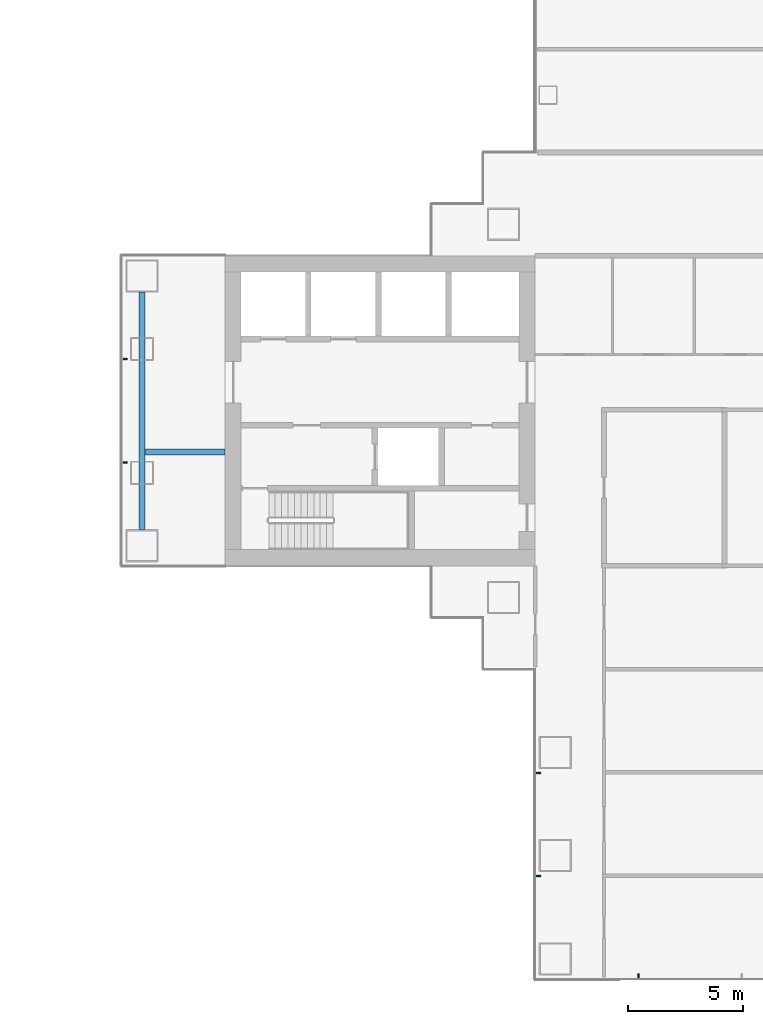
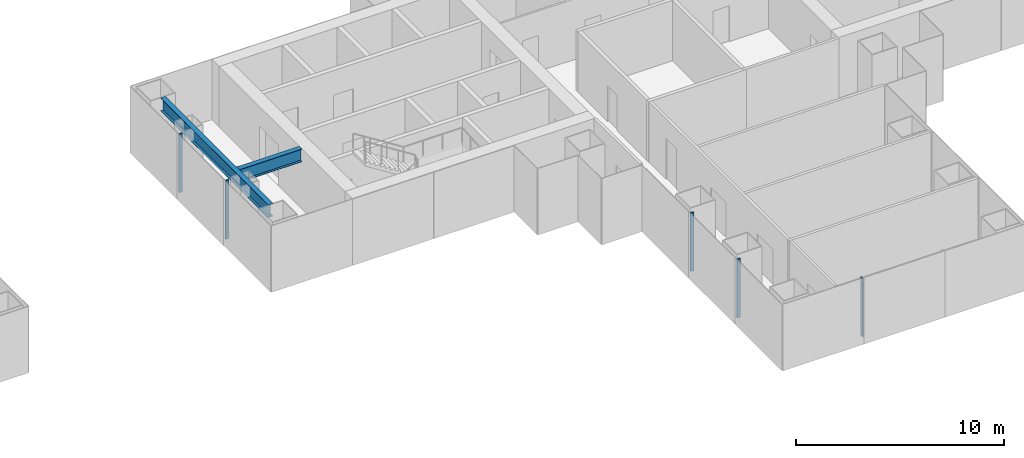
# One storey, part 6 of 21: 5 members, 2 beams, 3 elements without a shape of their own.
"""IFC4 building model written with IfcOpenShell, lengths in metres."""

from ifc_helpers import new_model, si_unit, direction, frame, origin, origin_2d, place, context, subcontext, project, spatial, rectangle, i_section, extrude, material, layer, layer_set, material_profile, profile_set, type_object, element, aggregate, save


model = new_model("IFC4")

# Units and contexts
model_context = context("Model", 3, precision=1e-05, world=origin(), true_north=direction((0.0, 1.0)))
body_context = subcontext(model_context, "Body", "Model", "MODEL_VIEW")
ifc_project = project(units=[si_unit("LENGTHUNIT", "METRE"), si_unit("AREAUNIT", "SQUARE_METRE"), si_unit("VOLUMEUNIT", "CUBIC_METRE"), si_unit("PLANEANGLEUNIT", "RADIAN"), si_unit("MASSUNIT", "GRAM", prefix="KILO")], contexts=[model_context])

# Site, building, storey
site_placement = place(None, origin())
site = spatial("IfcSite", under=ifc_project, at=site_placement, CompositionType="ELEMENT")
building_placement = place(site_placement, origin())
building = spatial("IfcBuilding", under=site, at=building_placement, Name="Shamsa Quay Exchange Towers", CompositionType="ELEMENT")
storey_placement = place(building_placement, frame((0.0, 0.0, 42.0)))
storey = spatial("IfcBuildingStorey", under=building, at=storey_placement, Name="L08", CompositionType="ELEMENT", Elevation=42.0)

# Curtain wall, members
ifc_material_1 = material(Name="Aluminium EN AW-6063 T6, black anodised", Category="aluminium")
ifc_layer = layer(ifc_material_1, 0.280029296875)
ifc_layer_set = layer_set([ifc_layer], Name="CW-1 UNITISED VISION GLASS")
curtain_wall_type = type_object("IfcCurtainWallType", Name="CW-1 UNITISED VISION GLASS", PredefinedType="NOTDEFINED", material=ifc_layer_set)
curtain_wall_1_placement = place(storey_placement, origin())
curtain_wall_1 = element("IfcCurtainWall", 1, at=curtain_wall_1_placement, inside=storey, type_object=curtain_wall_type, Name="CW1 T2-END-V+ L08", PredefinedType="NOTDEFINED")
ifc_material_profile_1 = material_profile(ifc_material_1, rectangle(XDim=0.179931640625, YDim=0.06005859375, at=origin_2d()), Name="MU60x180")
ifc_profile_set_1 = profile_set([ifc_material_profile_1], Name="Aluminium EN AW-6063 T6, black anodised")
member_type = type_object("IfcMemberType", Name="CW1 MULLION 60x180", PredefinedType="MULLION", material=ifc_profile_set_1)
member_1_placement = place(storey_placement, frame((9.14990234375, 2.25, 0.0)))
member_1 = element("IfcMember", 2, at=member_1_placement, type_object=member_type, Name="CW1 mullion", PredefinedType="MULLION", context=body_context, shape_type="SweptSolid", body=[
    extrude(rectangle(XDim=0.179931640625, YDim=0.06005859375, at=origin_2d()), origin(), (0.0, 0.0, 1.0), 3.449951171875),
])
member_2_placement = place(storey_placement, frame((9.14990234375, -2.25, 0.0)))
member_2 = element("IfcMember", 3, at=member_2_placement, type_object=member_type, Name="CW1 mullion", PredefinedType="MULLION", context=body_context, shape_type="SweptSolid", body=[
    extrude(rectangle(XDim=0.179931640625, YDim=0.06005859375, at=origin_2d()), origin(), (0.0, 0.0, 1.0), 3.449951171875),
])
aggregate(curtain_wall_1, [member_1, member_2])

curtain_wall_2_placement = place(storey_placement, origin())
curtain_wall_2 = element("IfcCurtainWall", 4, at=curtain_wall_2_placement, inside=storey, type_object=curtain_wall_type, Name="CW1 T2-FLK-U-N L08", PredefinedType="NOTDEFINED")
member_3_placement = place(storey_placement, frame((27.14990234375, -15.775390625, 0.0)))
member_3 = element("IfcMember", 5, at=member_3_placement, type_object=member_type, Name="CW1 mullion", PredefinedType="MULLION", context=body_context, shape_type="SweptSolid", body=[
    extrude(rectangle(XDim=0.179931640625, YDim=0.06005859375, at=origin_2d()), origin(), (0.0, 0.0, 1.0), 3.449951171875),
])
member_4_placement = place(storey_placement, frame((27.14990234375, -20.2626953125, 0.0)))
member_4 = element("IfcMember", 6, at=member_4_placement, type_object=member_type, Name="CW1 mullion", PredefinedType="MULLION", context=body_context, shape_type="SweptSolid", body=[
    extrude(rectangle(XDim=0.179931640625, YDim=0.06005859375, at=origin_2d()), origin(), (0.0, 0.0, 1.0), 3.449951171875),
])
aggregate(curtain_wall_2, [member_3, member_4])

# Curtain wall, member
curtain_wall_3_placement = place(storey_placement, origin())
curtain_wall_3 = element("IfcCurtainWall", 7, at=curtain_wall_3_placement, inside=storey, type_object=curtain_wall_type, Name="CW1 T2-END-U- L08", PredefinedType="NOTDEFINED")
member_5_placement = place(storey_placement, frame((31.5, -24.60009765625, 0.0), z_axis=(0.0, 0.0, 1.0), x_axis=(0.0, 1.0, 0.0)))
member_5 = element("IfcMember", 8, at=member_5_placement, type_object=member_type, Name="CW1 mullion", PredefinedType="MULLION", context=body_context, shape_type="SweptSolid", body=[
    extrude(rectangle(XDim=0.179931640625, YDim=0.06005859375, at=origin_2d()), origin(), (0.0, 0.0, 1.0), 3.449951171875),
])
aggregate(curtain_wall_3, [member_5])

# Beams
ifc_material_2 = material(Name="Steel S355", Category="steel")
ifc_material_profile_2 = material_profile(ifc_material_2, i_section(OverallWidth=0.26611328125, OverallDepth=0.7578125, WebThickness=0.013916015625, FlangeThickness=0.019287109375, at=origin_2d()), Name="W30x108")
ifc_profile_set_2 = profile_set([ifc_material_profile_2], Name="Steel S355")
beam_type = type_object("IfcBeamType", Name="End-zone beam W30x108", PredefinedType="BEAM", material=ifc_profile_set_2)
beam_1_placement = place(storey_placement, frame((9.875, -5.175048828125, 3.171142578125), z_axis=(0.0, 1.0, 0.0), x_axis=(-1.0, 0.0, 0.0)))
element("IfcBeam", 9, at=beam_1_placement, inside=storey, type_object=beam_type, Name="End beam T2 V+ end zone L08", PredefinedType="BEAM", context=body_context, shape_type="SweptSolid", body=[
    extrude(i_section(OverallWidth=0.26611328125, OverallDepth=0.7578125, WebThickness=0.013916015625, FlangeThickness=0.019287109375, at=origin_2d()), origin(), (0.0, 0.0, 1.0), 10.35009765625),
])
beam_2_placement = place(storey_placement, frame((13.5, -1.800048828125, 3.171142578125), z_axis=(-1.0, 0.0, 0.0), x_axis=(0.0, -1.0, 0.0)))
element("IfcBeam", 10, at=beam_2_placement, inside=storey, type_object=beam_type, Name="Spine beam T2 V+ end zone L08", PredefinedType="BEAM", context=body_context, shape_type="SweptSolid", body=[
    extrude(i_section(OverallWidth=0.26611328125, OverallDepth=0.7578125, WebThickness=0.013916015625, FlangeThickness=0.019287109375, at=origin_2d()), origin(), (0.0, 0.0, 1.0), 3.491943359375),
])

save(model, "model.ifc")
